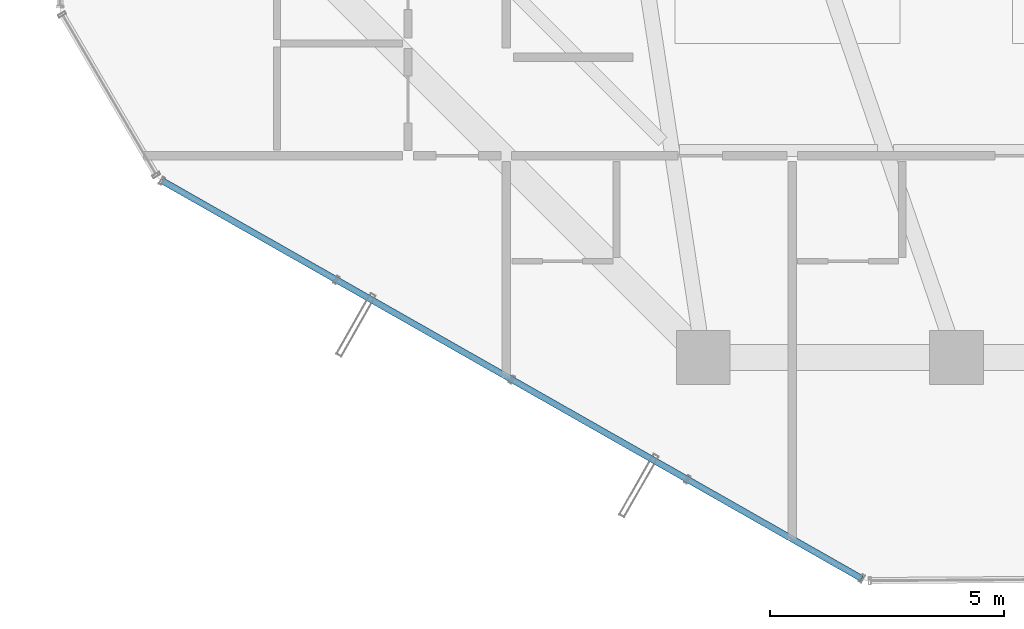
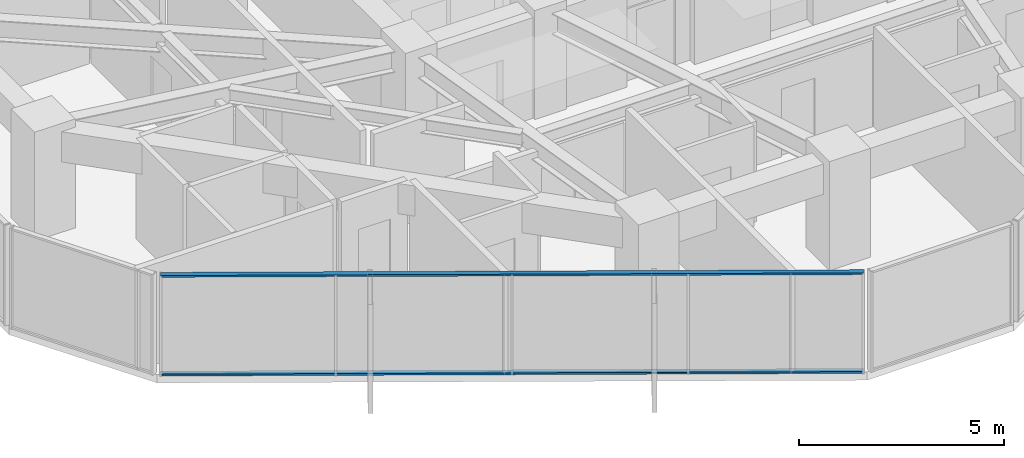
# One storey, part 3 of 30: 2 members, 1 element without a shape of its own.
"""IFC4 building model written with IfcOpenShell, lengths in metres."""

from ifc_helpers import new_model, si_unit, direction, frame, origin, origin_2d, place, context, subcontext, project, spatial, hollow_rectangle, extrude, source, transform, mapped, material, layer, layer_set, material_profile, profile_set, type_object, element, aggregate, save


model = new_model("IFC4")

# Units and contexts
model_context = context("Model", 3, precision=1e-05, world=origin(), true_north=direction((0.0, 1.0)))
body_context = subcontext(model_context, "Body", "Model", "MODEL_VIEW")
ifc_project = project(units=[si_unit("LENGTHUNIT", "METRE"), si_unit("AREAUNIT", "SQUARE_METRE"), si_unit("VOLUMEUNIT", "CUBIC_METRE"), si_unit("PLANEANGLEUNIT", "RADIAN"), si_unit("MASSUNIT", "GRAM", prefix="KILO")], contexts=[model_context])

# Site, building, storey
site_placement = place(None, origin())
site = spatial("IfcSite", under=ifc_project, at=site_placement, CompositionType="ELEMENT")
building_placement = place(site_placement, origin())
building = spatial("IfcBuilding", under=site, at=building_placement, Name="Veraguas Prism Commons", CompositionType="ELEMENT")
storey_placement = place(building_placement, frame((0.0, 0.0, 129.5)))
storey = spatial("IfcBuildingStorey", under=building, at=storey_placement, Name="L36", CompositionType="ELEMENT", Elevation=129.5)

# Curtain wall, members
ifc_material = material(Name="Anodised aluminium EN AW-6063 T6", Category="aluminium")
ifc_layer = layer(ifc_material, 0.169921875, Name="Unitised Flush Curtain Wall Zone 2", Category="aluminium")
ifc_layer_set = layer_set([ifc_layer], Name="Anodised aluminium EN AW-6063 T6")
curtain_wall_type = type_object("IfcCurtainWallType", Name="Unitised Flush Curtain Wall Zone 2", PredefinedType="NOTDEFINED", material=ifc_layer_set)
curtain_wall_placement = place(storey_placement, origin())
curtain_wall = element("IfcCurtainWall", 1, at=curtain_wall_placement, inside=storey, type_object=curtain_wall_type, Name="Tower Facade Curtain Wall L36-F4", PredefinedType="NOTDEFINED")
ifc_material_profile = material_profile(ifc_material, hollow_rectangle(XDim=0.054931640625, YDim=0.135009765625, WallThickness=0.0029296875, at=origin_2d()), Name="AL55X135X3")
ifc_profile_set = profile_set([ifc_material_profile], Name="Anodised aluminium EN AW-6063 T6")
member_type = type_object("IfcMemberType", Name="Curtain Wall Transom Standard AL 55x135x3", PredefinedType="USERDEFINED", material=ifc_profile_set)
shared_shape = source(origin(), body_context, "Body", "SweptSolid", [
    extrude(hollow_rectangle(XDim=0.054931640625, YDim=0.135009765625, WallThickness=0.0029296875, at=origin_2d()), origin(), (0.0, 0.0, 1.0), 17.17431640625),
])
member_1_placement = place(storey_placement, frame((7.05419921875, 11.568359375, 0.027587890625), z_axis=(0.869322335371, -0.494245563688, 0.0), x_axis=(0.0, 0.0, 1.0)))
member_1 = element("IfcMember", 2, at=member_1_placement, type_object=member_type, Name="CW-Z2 Transom 1", ObjectType="TRANSOM", PredefinedType="USERDEFINED", context=body_context, shape_type="MappedRepresentation", body=[
    mapped(shared_shape, transform((0.0, 0.0, 0.0), scale=1.0)),
])
member_2_placement = place(storey_placement, frame((7.05419921875, 11.568359375, 2.972412109375), z_axis=(0.869322335371, -0.494245563688, 0.0), x_axis=(0.0, 0.0, 1.0)))
member_2 = element("IfcMember", 3, at=member_2_placement, type_object=member_type, Name="CW-Z2 Transom 2", ObjectType="TRANSOM", PredefinedType="USERDEFINED", context=body_context, shape_type="MappedRepresentation", body=[
    mapped(shared_shape, transform((0.0, 0.0, 0.0), scale=1.0)),
])
aggregate(curtain_wall, [member_1, member_2])

save(model, "model.ifc")
